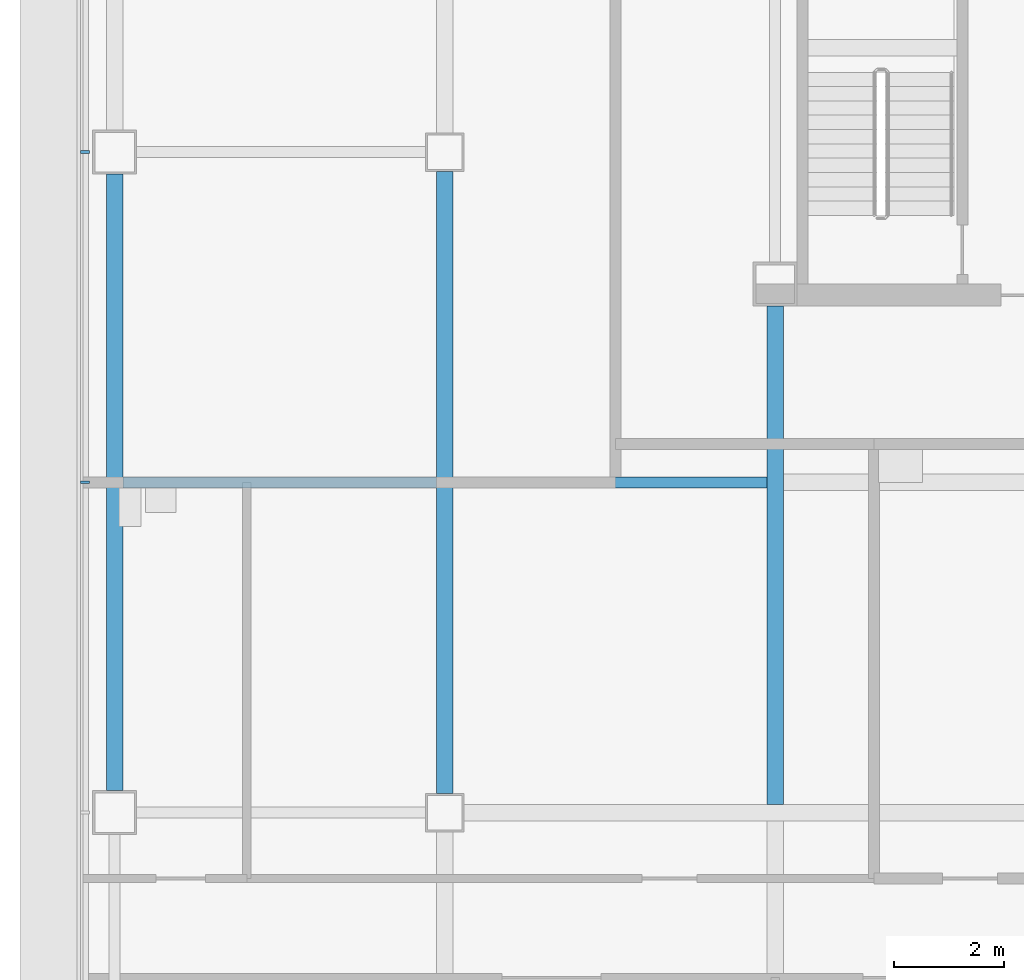
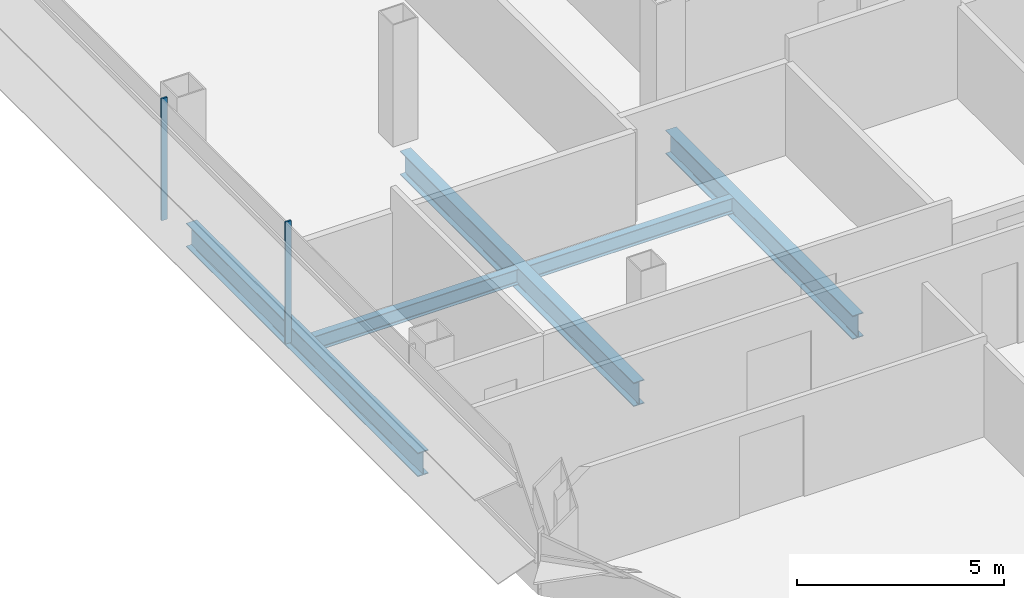
# One storey, part 4 of 25: 5 beams, 2 members, 1 element without a shape of its own.
"""IFC4 building model written with IfcOpenShell, lengths in metres."""

from ifc_helpers import new_model, si_unit, direction, frame, origin, origin_2d, place, context, subcontext, project, spatial, rectangle, i_section, extrude, material, material_profile, profile_set, type_object, element, aggregate, save


model = new_model("IFC4")

# Units and contexts
model_context = context("Model", 3, precision=1e-05, world=origin(), true_north=direction((0.0, 1.0)))
body_context = subcontext(model_context, "Body", "Model", "MODEL_VIEW")
ifc_project = project(units=[si_unit("LENGTHUNIT", "METRE"), si_unit("AREAUNIT", "SQUARE_METRE"), si_unit("VOLUMEUNIT", "CUBIC_METRE"), si_unit("PLANEANGLEUNIT", "RADIAN"), si_unit("MASSUNIT", "GRAM", prefix="KILO")], contexts=[model_context])

# Site, building, storey
site_placement = place(None, origin())
site = spatial("IfcSite", under=ifc_project, at=site_placement, CompositionType="ELEMENT")
building_placement = place(site_placement, origin())
building = spatial("IfcBuilding", under=site, at=building_placement, Name="Sorahane Residences", CompositionType="ELEMENT")
storey_placement = place(building_placement, frame((0.0, 0.0, 99.800048828125)))
storey = spatial("IfcBuildingStorey", under=building, at=storey_placement, Name="L21", CompositionType="ELEMENT", Elevation=99.800048828125)

# Curtain wall, members
ifc_material_1 = material(Name="Dark low-e glass and black anodised aluminium", Category="aluminium")
curtain_wall_type = type_object("IfcCurtainWallType", Name="Curtain wall CW-1 Typical unitised wall", PredefinedType="NOTDEFINED", material=ifc_material_1)
curtain_wall_placement = place(storey_placement, origin())
curtain_wall = element("IfcCurtainWall", 1, at=curtain_wall_placement, inside=storey, type_object=curtain_wall_type, Name="CW-1 curtain wall L21 W1", PredefinedType="NOTDEFINED")
ifc_material_2 = material(Name="Black anodised aluminium", Category="aluminium")
ifc_material_profile_1 = material_profile(ifc_material_2, rectangle(XDim=0.159912109375, YDim=0.050048828125, at=origin_2d()), Name="Curtain wall mullion CW-1 black anodised aluminium 50x160")
ifc_profile_set_1 = profile_set([ifc_material_profile_1], Name="Black anodised aluminium")
member_type = type_object("IfcMemberType", Name="Curtain wall mullion CW-1 black anodised aluminium 50x160", PredefinedType="MULLION", material=ifc_profile_set_1)
member_1_placement = place(storey_placement, frame((-6.5400390625, 24.0, -0.179931640625), z_axis=(0.0, 0.0, 1.0), x_axis=(-1.0, 0.0, 0.0)))
member_1 = element("IfcMember", 2, at=member_1_placement, type_object=member_type, Name="CW-1 mullion L21 W1.4", PredefinedType="MULLION", context=body_context, shape_type="SweptSolid", body=[
    extrude(rectangle(XDim=0.159912109375, YDim=0.050048828125, at=origin_2d()), origin(), (0.0, 0.0, 1.0), 3.599853515625),
])
member_2_placement = place(storey_placement, frame((-6.5400390625, 18.0, -0.179931640625), z_axis=(0.0, 0.0, 1.0), x_axis=(-1.0, 0.0, 0.0)))
member_2 = element("IfcMember", 3, at=member_2_placement, type_object=member_type, Name="CW-1 mullion L21 W1.5", PredefinedType="MULLION", context=body_context, shape_type="SweptSolid", body=[
    extrude(rectangle(XDim=0.159912109375, YDim=0.050048828125, at=origin_2d()), origin(), (0.0, 0.0, 1.0), 3.599853515625),
])
aggregate(curtain_wall, [member_1, member_2])

# Beams
ifc_material_3 = material(Name="Steel Q355B", Category="steel")
ifc_material_profile_2 = material_profile(ifc_material_3, i_section(OverallWidth=0.199951171875, OverallDepth=0.449951171875, WebThickness=0.009033203125, FlangeThickness=0.013916015625, FilletRadius=0.02001953125, at=origin_2d()), Name="HN 450x200x9x14")
ifc_profile_set_2 = profile_set([ifc_material_profile_2], Name="Steel Q355B")
beam_type_1 = type_object("IfcBeamType", Name="Steel floor beam HN 450x200x9x14 Q355B", PredefinedType="BEAM", material=ifc_profile_set_2)
for number, where, z_axis, x_axis, name in (
    (4, (-5.85009765625, 18.0, -0.405029296875), (1.0, 0.0, 0.0), (0.0, 1.0, 0.0), "Beam L21 078"),
    (5, (0.14990234375, 18.0, -0.405029296875), (1.0, 0.0, 0.0), (0.0, 1.0, 0.0), "Beam L21 079"),
):
    element("IfcBeam", number, at=place(storey_placement, frame(where, z_axis=z_axis, x_axis=x_axis)), inside=storey, type_object=beam_type_1, Name=name, PredefinedType="BEAM", context=body_context, shape_type="SweptSolid", body=[
        extrude(i_section(OverallWidth=0.199951171875, OverallDepth=0.449951171875, WebThickness=0.009033203125, FlangeThickness=0.013916015625, FilletRadius=0.02001953125, at=origin_2d()), origin(), (0.0, 0.0, 1.0), 5.7001953125),
    ])
ifc_material_4 = material(Name="Steel Q355B", Category="steel")
ifc_material_profile_3 = material_profile(ifc_material_4, i_section(OverallWidth=0.300048828125, OverallDepth=0.699951171875, WebThickness=0.012939453125, FlangeThickness=0.02392578125, FilletRadius=0.028076171875, at=origin_2d()), Name="HN 700x300x13x24")
ifc_profile_set_3 = profile_set([ifc_material_profile_3], Name="Steel Q355B")
beam_type_2 = type_object("IfcBeamType", Name="Steel floor beam HN 700x300x13x24 Q355B", PredefinedType="BEAM", material=ifc_profile_set_3)
beam_1_placement = place(storey_placement, frame((-6.0, 12.39990234375, -0.530029296875), z_axis=(0.0, 1.0, 0.0), x_axis=(-1.0, 0.0, 0.0)))
element("IfcBeam", 6, at=beam_1_placement, inside=storey, type_object=beam_type_2, Name="Beam L21 021", PredefinedType="BEAM", context=body_context, shape_type="SweptSolid", body=[
    extrude(i_section(OverallWidth=0.300048828125, OverallDepth=0.699951171875, WebThickness=0.012939453125, FlangeThickness=0.02392578125, FilletRadius=0.028076171875, at=origin_2d()), origin(), (0.0, 0.0, 1.0), 11.2001953125),
])
beam_2_placement = place(storey_placement, frame((0.0, 12.35009765625, -0.530029296875), z_axis=(0.0, 1.0, 0.0), x_axis=(-1.0, 0.0, 0.0)))
element("IfcBeam", 7, at=beam_2_placement, inside=storey, type_object=beam_type_2, Name="Beam L21 025", PredefinedType="BEAM", context=body_context, shape_type="SweptSolid", body=[
    extrude(i_section(OverallWidth=0.300048828125, OverallDepth=0.699951171875, WebThickness=0.012939453125, FlangeThickness=0.02392578125, FilletRadius=0.028076171875, at=origin_2d()), origin(), (0.0, 0.0, 1.0), 11.2998046875),
])
beam_3_placement = place(storey_placement, frame((6.0, 12.14990234375, -0.530029296875), z_axis=(0.0, 1.0, 0.0), x_axis=(-1.0, 0.0, 0.0)))
element("IfcBeam", 8, at=beam_3_placement, inside=storey, type_object=beam_type_2, Name="Beam L21 029", PredefinedType="BEAM", context=body_context, shape_type="SweptSolid", body=[
    extrude(i_section(OverallWidth=0.300048828125, OverallDepth=0.699951171875, WebThickness=0.012939453125, FlangeThickness=0.02392578125, FilletRadius=0.028076171875, at=origin_2d()), origin(), (0.0, 0.0, 1.0), 9.050048828125),
])

save(model, "model.ifc")
